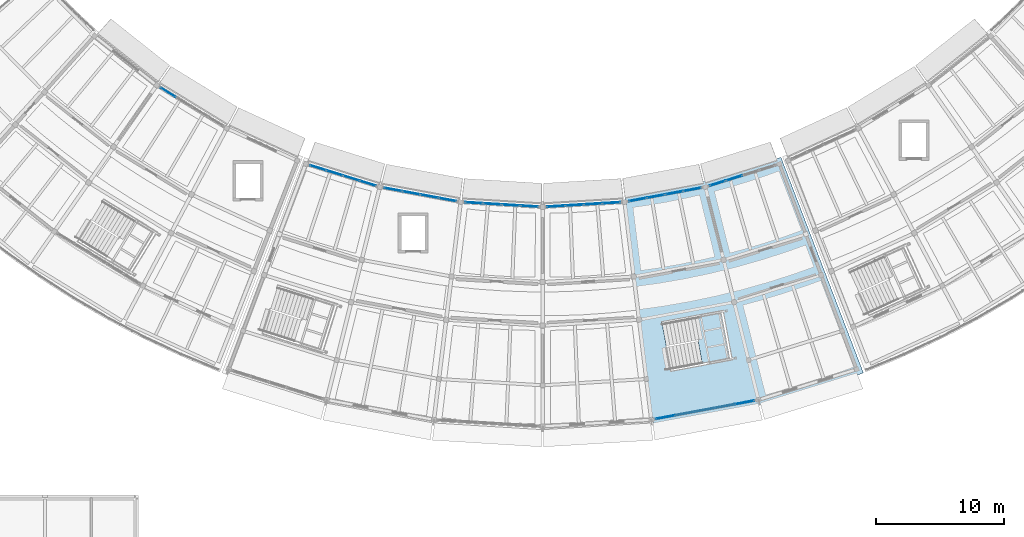
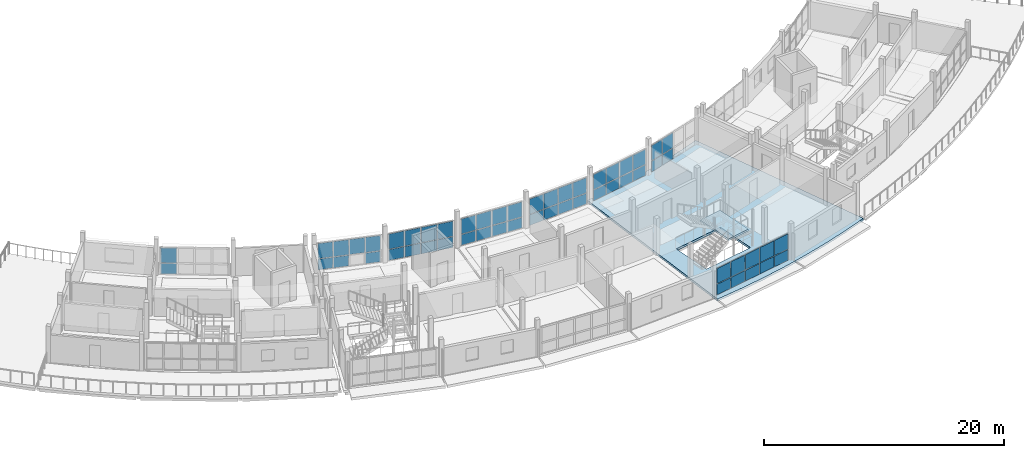
# One storey, part 21 of 36: 55 plates, 2 slabs, 9 elements without a shape of their own.
"""IFC4 building model written with IfcOpenShell, lengths in metres."""

from ifc_helpers import new_model, si_unit, direction, frame, origin, origin_2d, place, context, subcontext, project, spatial, polyline, rectangle, outline, extrude, material, layer, layer_set, type_object, element, aggregate, save


model = new_model("IFC4")

# Units and contexts
model_context = context("Model", 3, precision=1e-05, world=origin(), true_north=direction((0.0, 1.0)))
body_context = subcontext(model_context, "Body", "Model", "MODEL_VIEW")
ifc_project = project(units=[si_unit("LENGTHUNIT", "METRE"), si_unit("AREAUNIT", "SQUARE_METRE"), si_unit("VOLUMEUNIT", "CUBIC_METRE"), si_unit("PLANEANGLEUNIT", "RADIAN"), si_unit("MASSUNIT", "GRAM", prefix="KILO")], contexts=[model_context])

# Site, building, storey
site_placement = place(None, origin())
site = spatial("IfcSite", under=ifc_project, at=site_placement, CompositionType="ELEMENT")
building_placement = place(site_placement, origin())
building = spatial("IfcBuilding", under=site, at=building_placement, Name="Caldaven Crescent School", CompositionType="ELEMENT")
storey_placement = place(building_placement, frame((0.0, 0.0, 11.89990234375)))
storey = spatial("IfcBuildingStorey", under=building, at=storey_placement, Name="L03", CompositionType="ELEMENT", Elevation=11.89990234375)

# Curtain wall, plates
ifc_material_1 = material(Name="Anodised aluminium AA 6063-T6 and low-E double glazing", Category="aluminium")
ifc_layer_1 = layer(ifc_material_1, 0.169921875)
ifc_layer_set_1 = layer_set([ifc_layer_1], Name="Anodised aluminium AA 6063-T6 and low-E double glazing")
curtain_wall_type_1 = type_object("IfcCurtainWallType", Name="CW-SYS1", PredefinedType="NOTDEFINED", material=ifc_layer_set_1)
curtain_wall_1_placement = place(storey_placement, origin())
curtain_wall_1 = element("IfcCurtainWall", 1, at=curtain_wall_1_placement, inside=storey, type_object=curtain_wall_type_1, Name="CW-L03-153", PredefinedType="NOTDEFINED")
ifc_material_2 = material(Name="Tempered low-E double glazing IGU", Category="glass")
ifc_layer_2 = layer(ifc_material_2, 0.0439453125)
ifc_layer_set_2 = layer_set([ifc_layer_2], Name="Tempered low-E double glazing IGU")
plate_type_1 = type_object("IfcPlateType", Name="PLT-CWP10", PredefinedType="CURTAIN_PANEL", material=ifc_layer_set_2)
plate_1_placement = place(storey_placement, frame((58.80419921875, 52.4912109375, 0.0703125), z_axis=(0.0, 0.0, 1.0), x_axis=(0.852639656854, -0.522499392879, 0.0)))
plate_1 = element("IfcPlate", 2, at=plate_1_placement, type_object=plate_type_1, Name="CW1 panel 1.1", PredefinedType="CURTAIN_PANEL", context=body_context, shape_type="SweptSolid", body=[
    extrude(rectangle(XDim=1.353515625, YDim=0.0439453125, at=origin_2d()), origin(), (0.0, 0.0, 1.0), 1.071044921875),
])
plate_2_placement = place(storey_placement, frame((58.80419921875, 52.4912109375, 1.211181640625), z_axis=(0.0, 0.0, 1.0), x_axis=(0.852639656854, -0.522499392879, 0.0)))
plate_2 = element("IfcPlate", 3, at=plate_2_placement, type_object=plate_type_1, Name="CW1 panel 1.2", PredefinedType="CURTAIN_PANEL", context=body_context, shape_type="SweptSolid", body=[
    extrude(rectangle(XDim=1.353515625, YDim=0.0439453125, at=origin_2d()), origin(), (0.0, 0.0, 1.0), 1.51904296875),
])
aggregate(curtain_wall_1, [plate_1, plate_2])

ifc_layer_3 = layer(ifc_material_1, 0.2099609375)
ifc_layer_set_3 = layer_set([ifc_layer_3], Name="Anodised aluminium AA 6063-T6 and low-E double glazing")
curtain_wall_type_2 = type_object("IfcCurtainWallType", Name="CW-SYS3", PredefinedType="NOTDEFINED", material=ifc_layer_set_3)
curtain_wall_2_placement = place(storey_placement, origin())
curtain_wall_2 = element("IfcCurtainWall", 4, at=curtain_wall_2_placement, inside=storey, type_object=curtain_wall_type_2, Name="CW-L03-155", PredefinedType="NOTDEFINED")
ifc_layer_4 = layer(ifc_material_2, 0.048095703125)
ifc_layer_set_4 = layer_set([ifc_layer_4], Name="Tempered low-E double glazing IGU")
plate_type_2 = type_object("IfcPlateType", Name="PLT-CWP12", PredefinedType="CURTAIN_PANEL", material=ifc_layer_set_4)
plate_3_placement = place(storey_placement, frame((70.49169921875, 46.609375, 0.06005859375), z_axis=(0.0, 0.0, 1.0), x_axis=(0.954746818344, -0.297419758694, 0.0)))
plate_3 = element("IfcPlate", 5, at=plate_3_placement, type_object=plate_type_2, Name="CW3 panel 1.1", PredefinedType="CURTAIN_PANEL", context=body_context, shape_type="SweptSolid", body=[
    extrude(rectangle(XDim=1.270751953125, YDim=0.048095703125, at=origin_2d()), origin(), (0.0, 0.0, 1.0), 1.0859375),
])
plate_4_placement = place(storey_placement, frame((70.49169921875, 46.609375, 1.2060546875), z_axis=(0.0, 0.0, 1.0), x_axis=(0.954746818344, -0.297419758694, 0.0)))
plate_4 = element("IfcPlate", 6, at=plate_4_placement, type_object=plate_type_2, Name="CW3 panel 1.2", PredefinedType="CURTAIN_PANEL", context=body_context, shape_type="SweptSolid", body=[
    extrude(rectangle(XDim=1.270751953125, YDim=0.048095703125, at=origin_2d()), origin(), (0.0, 0.0, 1.0), 1.533935546875),
])
plate_5_placement = place(storey_placement, frame((71.776611328125, 46.208984375, 0.06005859375), z_axis=(0.0, 0.0, 1.0), x_axis=(0.954746818344, -0.297419758694, 0.0)))
plate_5 = element("IfcPlate", 7, at=plate_5_placement, type_object=plate_type_2, Name="CW3 panel 2.1", PredefinedType="CURTAIN_PANEL", context=body_context, shape_type="SweptSolid", body=[
    extrude(rectangle(XDim=1.30078125, YDim=0.048095703125, at=origin_2d()), origin(), (0.0, 0.0, 1.0), 1.0859375),
])
plate_6_placement = place(storey_placement, frame((71.776611328125, 46.208984375, 1.2060546875), z_axis=(0.0, 0.0, 1.0), x_axis=(0.954746818344, -0.297419758694, 0.0)))
plate_6 = element("IfcPlate", 8, at=plate_6_placement, type_object=plate_type_2, Name="CW3 panel 2.2", PredefinedType="CURTAIN_PANEL", context=body_context, shape_type="SweptSolid", body=[
    extrude(rectangle(XDim=1.30078125, YDim=0.048095703125, at=origin_2d()), origin(), (0.0, 0.0, 1.0), 1.533935546875),
])
plate_7_placement = place(storey_placement, frame((73.075927734375, 45.804443359375, 1.2060546875), z_axis=(0.0, 0.0, 1.0), x_axis=(0.954746818344, -0.297419758694, 0.0)))
plate_7 = element("IfcPlate", 9, at=plate_7_placement, type_object=plate_type_2, Name="CW3 panel 3.2", PredefinedType="CURTAIN_PANEL", context=body_context, shape_type="SweptSolid", body=[
    extrude(rectangle(XDim=1.30078125, YDim=0.048095703125, at=origin_2d()), origin(), (0.0, 0.0, 1.0), 1.533935546875),
])
plate_8_placement = place(storey_placement, frame((74.36083984375, 45.404052734375, 0.06005859375), z_axis=(0.0, 0.0, 1.0), x_axis=(0.954746818344, -0.297419758694, 0.0)))
plate_8 = element("IfcPlate", 10, at=plate_8_placement, type_object=plate_type_2, Name="CW3 panel 4.1", PredefinedType="CURTAIN_PANEL", context=body_context, shape_type="SweptSolid", body=[
    extrude(rectangle(XDim=1.270751953125, YDim=0.048095703125, at=origin_2d()), origin(), (0.0, 0.0, 1.0), 1.0859375),
])
plate_9_placement = place(storey_placement, frame((74.36083984375, 45.404052734375, 1.2060546875), z_axis=(0.0, 0.0, 1.0), x_axis=(0.954746818344, -0.297419758694, 0.0)))
plate_9 = element("IfcPlate", 11, at=plate_9_placement, type_object=plate_type_2, Name="CW3 panel 4.2", PredefinedType="CURTAIN_PANEL", context=body_context, shape_type="SweptSolid", body=[
    extrude(rectangle(XDim=1.270751953125, YDim=0.048095703125, at=origin_2d()), origin(), (0.0, 0.0, 1.0), 1.533935546875),
])
aggregate(curtain_wall_2, [plate_3, plate_4, plate_5, plate_6, plate_7, plate_8, plate_9])

ifc_layer_5 = layer(ifc_material_1, 0.22998046875)
ifc_layer_set_5 = layer_set([ifc_layer_5], Name="Anodised aluminium AA 6063-T6 and low-E double glazing")
curtain_wall_type_3 = type_object("IfcCurtainWallType", Name="CW-SYS4", PredefinedType="NOTDEFINED", material=ifc_layer_set_5)
curtain_wall_3_placement = place(storey_placement, origin())
curtain_wall_3 = element("IfcCurtainWall", 12, at=curtain_wall_3_placement, inside=storey, type_object=curtain_wall_type_3, Name="CW-L03-157", PredefinedType="NOTDEFINED")
ifc_layer_6 = layer(ifc_material_2, 0.052001953125)
ifc_layer_set_6 = layer_set([ifc_layer_6], Name="Tempered low-E double glazing IGU")
plate_type_3 = type_object("IfcPlateType", Name="PLT-CWP14", PredefinedType="CURTAIN_PANEL", material=ifc_layer_set_6)
plate_10_placement = place(storey_placement, frame((76.33544921875, 44.918212890625, 0.06005859375), z_axis=(0.0, 0.0, 1.0), x_axis=(0.983254744401, -0.182236405836, 0.0)))
plate_10 = element("IfcPlate", 13, at=plate_10_placement, type_object=plate_type_3, Name="CW4 panel 1.1", PredefinedType="CURTAIN_PANEL", context=body_context, shape_type="SweptSolid", body=[
    extrude(rectangle(XDim=1.353515625, YDim=0.052001953125, at=origin_2d()), origin(), (0.0, 0.0, 1.0), 1.0859375),
])
plate_11_placement = place(storey_placement, frame((76.33544921875, 44.918212890625, 1.2060546875), z_axis=(0.0, 0.0, 1.0), x_axis=(0.983254744401, -0.182236405836, 0.0)))
plate_11 = element("IfcPlate", 14, at=plate_11_placement, type_object=plate_type_3, Name="CW4 panel 1.2", PredefinedType="CURTAIN_PANEL", context=body_context, shape_type="SweptSolid", body=[
    extrude(rectangle(XDim=1.353515625, YDim=0.052001953125, at=origin_2d()), origin(), (0.0, 0.0, 1.0), 1.533935546875),
])
plate_12_placement = place(storey_placement, frame((77.746337890625, 44.65673828125, 0.06005859375), z_axis=(0.0, 0.0, 1.0), x_axis=(0.983254744401, -0.182236405836, 0.0)))
plate_12 = element("IfcPlate", 15, at=plate_12_placement, type_object=plate_type_3, Name="CW4 panel 2.1", PredefinedType="CURTAIN_PANEL", context=body_context, shape_type="SweptSolid", body=[
    extrude(rectangle(XDim=1.385986328125, YDim=0.052001953125, at=origin_2d()), origin(), (0.0, 0.0, 1.0), 1.0859375),
])
plate_13_placement = place(storey_placement, frame((77.746337890625, 44.65673828125, 1.2060546875), z_axis=(0.0, 0.0, 1.0), x_axis=(0.983254744401, -0.182236405836, 0.0)))
plate_13 = element("IfcPlate", 16, at=plate_13_placement, type_object=plate_type_3, Name="CW4 panel 2.2", PredefinedType="CURTAIN_PANEL", context=body_context, shape_type="SweptSolid", body=[
    extrude(rectangle(XDim=1.385986328125, YDim=0.052001953125, at=origin_2d()), origin(), (0.0, 0.0, 1.0), 1.533935546875),
])
plate_14_placement = place(storey_placement, frame((79.1728515625, 44.392333984375, 0.06005859375), z_axis=(0.0, 0.0, 1.0), x_axis=(0.983254744401, -0.182236405836, 0.0)))
plate_14 = element("IfcPlate", 17, at=plate_14_placement, type_object=plate_type_3, Name="CW4 panel 3.1", PredefinedType="CURTAIN_PANEL", context=body_context, shape_type="SweptSolid", body=[
    extrude(rectangle(XDim=1.385986328125, YDim=0.052001953125, at=origin_2d()), origin(), (0.0, 0.0, 1.0), 1.0859375),
])
plate_15_placement = place(storey_placement, frame((79.1728515625, 44.392333984375, 1.2060546875), z_axis=(0.0, 0.0, 1.0), x_axis=(0.983254744401, -0.182236405836, 0.0)))
plate_15 = element("IfcPlate", 18, at=plate_15_placement, type_object=plate_type_3, Name="CW4 panel 3.2", PredefinedType="CURTAIN_PANEL", context=body_context, shape_type="SweptSolid", body=[
    extrude(rectangle(XDim=1.385986328125, YDim=0.052001953125, at=origin_2d()), origin(), (0.0, 0.0, 1.0), 1.533935546875),
])
plate_16_placement = place(storey_placement, frame((80.583740234375, 44.130859375, 0.06005859375), z_axis=(0.0, 0.0, 1.0), x_axis=(0.983254744401, -0.182236405836, 0.0)))
plate_16 = element("IfcPlate", 19, at=plate_16_placement, type_object=plate_type_3, Name="CW4 panel 4.1", PredefinedType="CURTAIN_PANEL", context=body_context, shape_type="SweptSolid", body=[
    extrude(rectangle(XDim=1.353515625, YDim=0.052001953125, at=origin_2d()), origin(), (0.0, 0.0, 1.0), 1.0859375),
])
plate_17_placement = place(storey_placement, frame((80.583740234375, 44.130859375, 1.2060546875), z_axis=(0.0, 0.0, 1.0), x_axis=(0.983254744401, -0.182236405836, 0.0)))
plate_17 = element("IfcPlate", 20, at=plate_17_placement, type_object=plate_type_3, Name="CW4 panel 4.2", PredefinedType="CURTAIN_PANEL", context=body_context, shape_type="SweptSolid", body=[
    extrude(rectangle(XDim=1.353515625, YDim=0.052001953125, at=origin_2d()), origin(), (0.0, 0.0, 1.0), 1.533935546875),
])
aggregate(curtain_wall_3, [plate_10, plate_11, plate_12, plate_13, plate_14, plate_15, plate_16, plate_17])

curtain_wall_4_placement = place(storey_placement, origin())
curtain_wall_4 = element("IfcCurtainWall", 21, at=curtain_wall_4_placement, inside=storey, type_object=curtain_wall_type_1, Name="CW-L03-158", PredefinedType="NOTDEFINED")
ifc_layer_7 = layer(ifc_material_2, 0.053955078125)
ifc_layer_set_7 = layer_set([ifc_layer_7], Name="Tempered low-E double glazing IGU")
plate_type_4 = type_object("IfcPlateType", Name="PLT-CWP15", PredefinedType="CURTAIN_PANEL", material=ifc_layer_set_7)
plate_18_placement = place(storey_placement, frame((82.64892578125, 43.877197265625, 0.06494140625), z_axis=(0.0, 0.0, 1.0), x_axis=(0.998134750717, -0.061049319496, 0.0)))
plate_18 = element("IfcPlate", 22, at=plate_18_placement, type_object=plate_type_4, Name="CW1 panel 1.1", PredefinedType="CURTAIN_PANEL", context=body_context, shape_type="SweptSolid", body=[
    extrude(rectangle(XDim=1.345947265625, YDim=0.053955078125, at=origin_2d()), origin(), (0.0, 0.0, 1.0), 1.07861328125),
])
plate_19_placement = place(storey_placement, frame((82.64892578125, 43.877197265625, 1.20849609375), z_axis=(0.0, 0.0, 1.0), x_axis=(0.998134750717, -0.061049319496, 0.0)))
plate_19 = element("IfcPlate", 23, at=plate_19_placement, type_object=plate_type_4, Name="CW1 panel 1.2", PredefinedType="CURTAIN_PANEL", context=body_context, shape_type="SweptSolid", body=[
    extrude(rectangle(XDim=1.345947265625, YDim=0.053955078125, at=origin_2d()), origin(), (0.0, 0.0, 1.0), 1.526611328125),
])
plate_20_placement = place(storey_placement, frame((84.079833984375, 43.789794921875, 0.06494140625), z_axis=(0.0, 0.0, 1.0), x_axis=(0.998134750717, -0.061049319496, 0.0)))
plate_20 = element("IfcPlate", 24, at=plate_20_placement, type_object=plate_type_4, Name="CW1 panel 2.1", PredefinedType="CURTAIN_PANEL", context=body_context, shape_type="SweptSolid", body=[
    extrude(rectangle(XDim=1.381103515625, YDim=0.053955078125, at=origin_2d()), origin(), (0.0, 0.0, 1.0), 1.07861328125),
])
plate_21_placement = place(storey_placement, frame((84.079833984375, 43.789794921875, 1.20849609375), z_axis=(0.0, 0.0, 1.0), x_axis=(0.998134750717, -0.061049319496, 0.0)))
plate_21 = element("IfcPlate", 25, at=plate_21_placement, type_object=plate_type_4, Name="CW1 panel 2.2", PredefinedType="CURTAIN_PANEL", context=body_context, shape_type="SweptSolid", body=[
    extrude(rectangle(XDim=1.381103515625, YDim=0.053955078125, at=origin_2d()), origin(), (0.0, 0.0, 1.0), 1.526611328125),
])
plate_22_placement = place(storey_placement, frame((85.528076171875, 43.701171875, 0.06494140625), z_axis=(0.0, 0.0, 1.0), x_axis=(0.998134750717, -0.061049319496, 0.0)))
plate_22 = element("IfcPlate", 26, at=plate_22_placement, type_object=plate_type_4, Name="CW1 panel 3.1", PredefinedType="CURTAIN_PANEL", context=body_context, shape_type="SweptSolid", body=[
    extrude(rectangle(XDim=1.381103515625, YDim=0.053955078125, at=origin_2d()), origin(), (0.0, 0.0, 1.0), 1.07861328125),
])
plate_23_placement = place(storey_placement, frame((85.528076171875, 43.701171875, 1.20849609375), z_axis=(0.0, 0.0, 1.0), x_axis=(0.998134750717, -0.061049319496, 0.0)))
plate_23 = element("IfcPlate", 27, at=plate_23_placement, type_object=plate_type_4, Name="CW1 panel 3.2", PredefinedType="CURTAIN_PANEL", context=body_context, shape_type="SweptSolid", body=[
    extrude(rectangle(XDim=1.381103515625, YDim=0.053955078125, at=origin_2d()), origin(), (0.0, 0.0, 1.0), 1.526611328125),
])
plate_24_placement = place(storey_placement, frame((86.958984375, 43.61376953125, 0.06494140625), z_axis=(0.0, 0.0, 1.0), x_axis=(0.998134750717, -0.061049319496, 0.0)))
plate_24 = element("IfcPlate", 28, at=plate_24_placement, type_object=plate_type_4, Name="CW1 panel 4.1", PredefinedType="CURTAIN_PANEL", context=body_context, shape_type="SweptSolid", body=[
    extrude(rectangle(XDim=1.345947265625, YDim=0.053955078125, at=origin_2d()), origin(), (0.0, 0.0, 1.0), 1.07861328125),
])
plate_25_placement = place(storey_placement, frame((86.958984375, 43.61376953125, 1.20849609375), z_axis=(0.0, 0.0, 1.0), x_axis=(0.998134750717, -0.061049319496, 0.0)))
plate_25 = element("IfcPlate", 29, at=plate_25_placement, type_object=plate_type_4, Name="CW1 panel 4.2", PredefinedType="CURTAIN_PANEL", context=body_context, shape_type="SweptSolid", body=[
    extrude(rectangle(XDim=1.345947265625, YDim=0.053955078125, at=origin_2d()), origin(), (0.0, 0.0, 1.0), 1.526611328125),
])
aggregate(curtain_wall_4, [plate_18, plate_19, plate_20, plate_21, plate_22, plate_23, plate_24, plate_25])

ifc_layer_8 = layer(ifc_material_1, 0.18994140625)
ifc_layer_set_8 = layer_set([ifc_layer_8], Name="Anodised aluminium AA 6063-T6 and low-E double glazing")
curtain_wall_type_4 = type_object("IfcCurtainWallType", Name="CW-SYS2", PredefinedType="NOTDEFINED", material=ifc_layer_set_8)
curtain_wall_5_placement = place(storey_placement, origin())
curtain_wall_5 = element("IfcCurtainWall", 30, at=curtain_wall_5_placement, inside=storey, type_object=curtain_wall_type_4, Name="CW-L03-160", PredefinedType="NOTDEFINED")
ifc_layer_9 = layer(ifc_material_2, 0.05810546875)
ifc_layer_set_9 = layer_set([ifc_layer_9], Name="Tempered low-E double glazing IGU")
plate_type_5 = type_object("IfcPlateType", Name="PLT-CWP17", PredefinedType="CURTAIN_PANEL", material=ifc_layer_set_9)
plate_26_placement = place(storey_placement, frame((89.03857421875, 43.613525390625, 0.06494140625), z_axis=(0.0, 0.0, 1.0), x_axis=(0.998134750717, 0.061049319496, 0.0)))
plate_26 = element("IfcPlate", 31, at=plate_26_placement, type_object=plate_type_5, Name="CW2 panel 1.1", PredefinedType="CURTAIN_PANEL", context=body_context, shape_type="SweptSolid", body=[
    extrude(rectangle(XDim=1.361083984375, YDim=0.05810546875, at=origin_2d()), origin(), (0.0, 0.0, 1.0), 1.07861328125),
])
plate_27_placement = place(storey_placement, frame((89.03857421875, 43.613525390625, 1.20849609375), z_axis=(0.0, 0.0, 1.0), x_axis=(0.998134750717, 0.061049319496, 0.0)))
plate_27 = element("IfcPlate", 32, at=plate_27_placement, type_object=plate_type_5, Name="CW2 panel 1.2", PredefinedType="CURTAIN_PANEL", context=body_context, shape_type="SweptSolid", body=[
    extrude(rectangle(XDim=1.361083984375, YDim=0.05810546875, at=origin_2d()), origin(), (0.0, 0.0, 1.0), 1.526611328125),
])
plate_28_placement = place(storey_placement, frame((90.471923828125, 43.701171875, 0.06494140625), z_axis=(0.0, 0.0, 1.0), x_axis=(0.998134750717, 0.061049319496, 0.0)))
plate_28 = element("IfcPlate", 33, at=plate_28_placement, type_object=plate_type_5, Name="CW2 panel 2.1", PredefinedType="CURTAIN_PANEL", context=body_context, shape_type="SweptSolid", body=[
    extrude(rectangle(XDim=1.39111328125, YDim=0.05810546875, at=origin_2d()), origin(), (0.0, 0.0, 1.0), 1.07861328125),
])
plate_29_placement = place(storey_placement, frame((90.471923828125, 43.701171875, 1.20849609375), z_axis=(0.0, 0.0, 1.0), x_axis=(0.998134750717, 0.061049319496, 0.0)))
plate_29 = element("IfcPlate", 34, at=plate_29_placement, type_object=plate_type_5, Name="CW2 panel 2.2", PredefinedType="CURTAIN_PANEL", context=body_context, shape_type="SweptSolid", body=[
    extrude(rectangle(XDim=1.39111328125, YDim=0.05810546875, at=origin_2d()), origin(), (0.0, 0.0, 1.0), 1.526611328125),
])
plate_30_placement = place(storey_placement, frame((91.920166015625, 43.789794921875, 0.06494140625), z_axis=(0.0, 0.0, 1.0), x_axis=(0.998134750717, 0.061049319496, 0.0)))
plate_30 = element("IfcPlate", 35, at=plate_30_placement, type_object=plate_type_5, Name="CW2 panel 3.1", PredefinedType="CURTAIN_PANEL", context=body_context, shape_type="SweptSolid", body=[
    extrude(rectangle(XDim=1.39111328125, YDim=0.05810546875, at=origin_2d()), origin(), (0.0, 0.0, 1.0), 1.07861328125),
])
plate_31_placement = place(storey_placement, frame((91.920166015625, 43.789794921875, 1.20849609375), z_axis=(0.0, 0.0, 1.0), x_axis=(0.998134750717, 0.061049319496, 0.0)))
plate_31 = element("IfcPlate", 36, at=plate_31_placement, type_object=plate_type_5, Name="CW2 panel 3.2", PredefinedType="CURTAIN_PANEL", context=body_context, shape_type="SweptSolid", body=[
    extrude(rectangle(XDim=1.39111328125, YDim=0.05810546875, at=origin_2d()), origin(), (0.0, 0.0, 1.0), 1.526611328125),
])
plate_32_placement = place(storey_placement, frame((93.353515625, 43.87744140625, 0.06494140625), z_axis=(0.0, 0.0, 1.0), x_axis=(0.998134750717, 0.061049319496, 0.0)))
plate_32 = element("IfcPlate", 37, at=plate_32_placement, type_object=plate_type_5, Name="CW2 panel 4.1", PredefinedType="CURTAIN_PANEL", context=body_context, shape_type="SweptSolid", body=[
    extrude(rectangle(XDim=1.361083984375, YDim=0.05810546875, at=origin_2d()), origin(), (0.0, 0.0, 1.0), 1.07861328125),
])
plate_33_placement = place(storey_placement, frame((93.353515625, 43.87744140625, 1.20849609375), z_axis=(0.0, 0.0, 1.0), x_axis=(0.998134750717, 0.061049319496, 0.0)))
plate_33 = element("IfcPlate", 38, at=plate_33_placement, type_object=plate_type_5, Name="CW2 panel 4.2", PredefinedType="CURTAIN_PANEL", context=body_context, shape_type="SweptSolid", body=[
    extrude(rectangle(XDim=1.361083984375, YDim=0.05810546875, at=origin_2d()), origin(), (0.0, 0.0, 1.0), 1.526611328125),
])
aggregate(curtain_wall_5, [plate_26, plate_27, plate_28, plate_29, plate_30, plate_31, plate_32, plate_33])

curtain_wall_6_placement = place(storey_placement, origin())
curtain_wall_6 = element("IfcCurtainWall", 39, at=curtain_wall_6_placement, inside=storey, type_object=curtain_wall_type_2, Name="CW-L03-161", PredefinedType="NOTDEFINED")
ifc_layer_10 = layer(ifc_material_2, 0.06005859375)
ifc_layer_set_10 = layer_set([ifc_layer_10], Name="Tempered low-E double glazing IGU")
plate_type_6 = type_object("IfcPlateType", Name="PLT-CWP18", PredefinedType="CURTAIN_PANEL", material=ifc_layer_set_10)
plate_34_placement = place(storey_placement, frame((95.416259765625, 44.130859375, 0.0703125), z_axis=(0.0, 0.0, 1.0), x_axis=(0.983254744401, 0.182236405836, 0.0)))
plate_34 = element("IfcPlate", 40, at=plate_34_placement, type_object=plate_type_6, Name="CW3 panel 1.1", PredefinedType="CURTAIN_PANEL", context=body_context, shape_type="SweptSolid", body=[
    extrude(rectangle(XDim=1.353515625, YDim=0.06005859375, at=origin_2d()), origin(), (0.0, 0.0, 1.0), 1.071044921875),
])
plate_35_placement = place(storey_placement, frame((95.416259765625, 44.130859375, 1.211181640625), z_axis=(0.0, 0.0, 1.0), x_axis=(0.983254744401, 0.182236405836, 0.0)))
plate_35 = element("IfcPlate", 41, at=plate_35_placement, type_object=plate_type_6, Name="CW3 panel 1.2", PredefinedType="CURTAIN_PANEL", context=body_context, shape_type="SweptSolid", body=[
    extrude(rectangle(XDim=1.353515625, YDim=0.06005859375, at=origin_2d()), origin(), (0.0, 0.0, 1.0), 1.51904296875),
])
plate_36_placement = place(storey_placement, frame((96.8271484375, 44.392333984375, 0.0703125), z_axis=(0.0, 0.0, 1.0), x_axis=(0.983254744401, 0.182236405836, 0.0)))
plate_36 = element("IfcPlate", 42, at=plate_36_placement, type_object=plate_type_6, Name="CW3 panel 2.1", PredefinedType="CURTAIN_PANEL", context=body_context, shape_type="SweptSolid", body=[
    extrude(rectangle(XDim=1.385986328125, YDim=0.06005859375, at=origin_2d()), origin(), (0.0, 0.0, 1.0), 1.071044921875),
])
plate_37_placement = place(storey_placement, frame((96.8271484375, 44.392333984375, 1.211181640625), z_axis=(0.0, 0.0, 1.0), x_axis=(0.983254744401, 0.182236405836, 0.0)))
plate_37 = element("IfcPlate", 43, at=plate_37_placement, type_object=plate_type_6, Name="CW3 panel 2.2", PredefinedType="CURTAIN_PANEL", context=body_context, shape_type="SweptSolid", body=[
    extrude(rectangle(XDim=1.385986328125, YDim=0.06005859375, at=origin_2d()), origin(), (0.0, 0.0, 1.0), 1.51904296875),
])
plate_38_placement = place(storey_placement, frame((98.253662109375, 44.65673828125, 0.0703125), z_axis=(0.0, 0.0, 1.0), x_axis=(0.983254744401, 0.182236405836, 0.0)))
plate_38 = element("IfcPlate", 44, at=plate_38_placement, type_object=plate_type_6, Name="CW3 panel 3.1", PredefinedType="CURTAIN_PANEL", context=body_context, shape_type="SweptSolid", body=[
    extrude(rectangle(XDim=1.385986328125, YDim=0.06005859375, at=origin_2d()), origin(), (0.0, 0.0, 1.0), 1.071044921875),
])
plate_39_placement = place(storey_placement, frame((98.253662109375, 44.65673828125, 1.211181640625), z_axis=(0.0, 0.0, 1.0), x_axis=(0.983254744401, 0.182236405836, 0.0)))
plate_39 = element("IfcPlate", 45, at=plate_39_placement, type_object=plate_type_6, Name="CW3 panel 3.2", PredefinedType="CURTAIN_PANEL", context=body_context, shape_type="SweptSolid", body=[
    extrude(rectangle(XDim=1.385986328125, YDim=0.06005859375, at=origin_2d()), origin(), (0.0, 0.0, 1.0), 1.51904296875),
])
plate_40_placement = place(storey_placement, frame((99.66455078125, 44.918212890625, 0.0703125), z_axis=(0.0, 0.0, 1.0), x_axis=(0.983254744401, 0.182236405836, 0.0)))
plate_40 = element("IfcPlate", 46, at=plate_40_placement, type_object=plate_type_6, Name="CW3 panel 4.1", PredefinedType="CURTAIN_PANEL", context=body_context, shape_type="SweptSolid", body=[
    extrude(rectangle(XDim=1.353515625, YDim=0.06005859375, at=origin_2d()), origin(), (0.0, 0.0, 1.0), 1.071044921875),
])
plate_41_placement = place(storey_placement, frame((99.66455078125, 44.918212890625, 1.211181640625), z_axis=(0.0, 0.0, 1.0), x_axis=(0.983254744401, 0.182236405836, 0.0)))
plate_41 = element("IfcPlate", 47, at=plate_41_placement, type_object=plate_type_6, Name="CW3 panel 4.2", PredefinedType="CURTAIN_PANEL", context=body_context, shape_type="SweptSolid", body=[
    extrude(rectangle(XDim=1.353515625, YDim=0.06005859375, at=origin_2d()), origin(), (0.0, 0.0, 1.0), 1.51904296875),
])
aggregate(curtain_wall_6, [plate_34, plate_35, plate_36, plate_37, plate_38, plate_39, plate_40, plate_41])

curtain_wall_7_placement = place(storey_placement, origin())
curtain_wall_7 = element("IfcCurtainWall", 48, at=curtain_wall_7_placement, inside=storey, type_object=curtain_wall_type_1, Name="CW-L03-162", PredefinedType="NOTDEFINED")
ifc_material_3 = material(Name="Insulated bronze aluminium spandrel panel", Category="aluminium")
ifc_layer_11 = layer(ifc_material_3, 0.06201171875)
ifc_layer_set_11 = layer_set([ifc_layer_11], Name="Insulated bronze aluminium spandrel panel")
plate_type_7 = type_object("IfcPlateType", Name="PLT-CWP19", PredefinedType="CURTAIN_PANEL", material=ifc_layer_set_11)
plate_42_placement = place(storey_placement, frame((97.561767578125, 27.169677734375, 0.06005859375), z_axis=(0.0, 0.0, 1.0), x_axis=(0.983255029874, 0.182234865564, 0.0)))
plate_42 = element("IfcPlate", 49, at=plate_42_placement, type_object=plate_type_7, Name="CW1 panel 1.1", PredefinedType="CURTAIN_PANEL", context=body_context, shape_type="SweptSolid", body=[
    extrude(rectangle(XDim=1.48828125, YDim=0.06201171875, at=origin_2d()), origin(), (0.0, 0.0, 1.0), 1.0859375),
])
plate_43_placement = place(storey_placement, frame((97.561767578125, 27.169677734375, 1.2060546875), z_axis=(0.0, 0.0, 1.0), x_axis=(0.983255029874, 0.182234865564, 0.0)))
plate_43 = element("IfcPlate", 50, at=plate_43_placement, type_object=plate_type_7, Name="CW1 panel 1.2", PredefinedType="CURTAIN_PANEL", context=body_context, shape_type="SweptSolid", body=[
    extrude(rectangle(XDim=1.48828125, YDim=0.06201171875, at=origin_2d()), origin(), (0.0, 0.0, 1.0), 1.533935546875),
])
plate_44_placement = place(storey_placement, frame((99.098876953125, 27.45458984375, 0.06005859375), z_axis=(0.0, 0.0, 1.0), x_axis=(0.983255029874, 0.182234865564, 0.0)))
plate_44 = element("IfcPlate", 51, at=plate_44_placement, type_object=plate_type_7, Name="CW1 panel 2.1", PredefinedType="CURTAIN_PANEL", context=body_context, shape_type="SweptSolid", body=[
    extrude(rectangle(XDim=1.518310546875, YDim=0.06201171875, at=origin_2d()), origin(), (0.0, 0.0, 1.0), 1.0859375),
])
plate_45_placement = place(storey_placement, frame((99.098876953125, 27.45458984375, 1.2060546875), z_axis=(0.0, 0.0, 1.0), x_axis=(0.983255029874, 0.182234865564, 0.0)))
plate_45 = element("IfcPlate", 52, at=plate_45_placement, type_object=plate_type_7, Name="CW1 panel 2.2", PredefinedType="CURTAIN_PANEL", context=body_context, shape_type="SweptSolid", body=[
    extrude(rectangle(XDim=1.518310546875, YDim=0.06201171875, at=origin_2d()), origin(), (0.0, 0.0, 1.0), 1.533935546875),
])
plate_46_placement = place(storey_placement, frame((100.65087890625, 27.7421875, 0.06005859375), z_axis=(0.0, 0.0, 1.0), x_axis=(0.983255029874, 0.182234865564, 0.0)))
plate_46 = element("IfcPlate", 53, at=plate_46_placement, type_object=plate_type_7, Name="CW1 panel 3.1", PredefinedType="CURTAIN_PANEL", context=body_context, shape_type="SweptSolid", body=[
    extrude(rectangle(XDim=1.518310546875, YDim=0.06201171875, at=origin_2d()), origin(), (0.0, 0.0, 1.0), 1.0859375),
])
plate_47_placement = place(storey_placement, frame((100.65087890625, 27.7421875, 1.2060546875), z_axis=(0.0, 0.0, 1.0), x_axis=(0.983255029874, 0.182234865564, 0.0)))
plate_47 = element("IfcPlate", 54, at=plate_47_placement, type_object=plate_type_7, Name="CW1 panel 3.2", PredefinedType="CURTAIN_PANEL", context=body_context, shape_type="SweptSolid", body=[
    extrude(rectangle(XDim=1.518310546875, YDim=0.06201171875, at=origin_2d()), origin(), (0.0, 0.0, 1.0), 1.533935546875),
])
plate_48_placement = place(storey_placement, frame((102.202880859375, 28.02978515625, 0.06005859375), z_axis=(0.0, 0.0, 1.0), x_axis=(0.983255029874, 0.182234865564, 0.0)))
plate_48 = element("IfcPlate", 55, at=plate_48_placement, type_object=plate_type_7, Name="CW1 panel 4.1", PredefinedType="CURTAIN_PANEL", context=body_context, shape_type="SweptSolid", body=[
    extrude(rectangle(XDim=1.518310546875, YDim=0.06201171875, at=origin_2d()), origin(), (0.0, 0.0, 1.0), 1.0859375),
])
plate_49_placement = place(storey_placement, frame((102.202880859375, 28.02978515625, 1.2060546875), z_axis=(0.0, 0.0, 1.0), x_axis=(0.983255029874, 0.182234865564, 0.0)))
plate_49 = element("IfcPlate", 56, at=plate_49_placement, type_object=plate_type_7, Name="CW1 panel 4.2", PredefinedType="CURTAIN_PANEL", context=body_context, shape_type="SweptSolid", body=[
    extrude(rectangle(XDim=1.518310546875, YDim=0.06201171875, at=origin_2d()), origin(), (0.0, 0.0, 1.0), 1.533935546875),
])
plate_50_placement = place(storey_placement, frame((103.739990234375, 28.314697265625, 0.06005859375), z_axis=(0.0, 0.0, 1.0), x_axis=(0.983255029874, 0.182234865564, 0.0)))
plate_50 = element("IfcPlate", 57, at=plate_50_placement, type_object=plate_type_7, Name="CW1 panel 5.1", PredefinedType="CURTAIN_PANEL", context=body_context, shape_type="SweptSolid", body=[
    extrude(rectangle(XDim=1.48828125, YDim=0.06201171875, at=origin_2d()), origin(), (0.0, 0.0, 1.0), 1.0859375),
])
plate_51_placement = place(storey_placement, frame((103.739990234375, 28.314697265625, 1.2060546875), z_axis=(0.0, 0.0, 1.0), x_axis=(0.983255029874, 0.182234865564, 0.0)))
plate_51 = element("IfcPlate", 58, at=plate_51_placement, type_object=plate_type_7, Name="CW1 panel 5.2", PredefinedType="CURTAIN_PANEL", context=body_context, shape_type="SweptSolid", body=[
    extrude(rectangle(XDim=1.48828125, YDim=0.06201171875, at=origin_2d()), origin(), (0.0, 0.0, 1.0), 1.533935546875),
])
aggregate(curtain_wall_7, [plate_42, plate_43, plate_44, plate_45, plate_46, plate_47, plate_48, plate_49, plate_50, plate_51])

curtain_wall_8_placement = place(storey_placement, origin())
curtain_wall_8 = element("IfcCurtainWall", 59, at=curtain_wall_8_placement, inside=storey, type_object=curtain_wall_type_3, Name="CW-L03-163", PredefinedType="NOTDEFINED")
ifc_layer_12 = layer(ifc_material_3, 0.06396484375)
ifc_layer_set_12 = layer_set([ifc_layer_12], Name="Insulated bronze aluminium spandrel panel")
plate_type_8 = type_object("IfcPlateType", Name="PLT-CWP20", PredefinedType="CURTAIN_PANEL", material=ifc_layer_set_12)
plate_52_placement = place(storey_placement, frame((101.6416015625, 45.40478515625, 0.0703125), z_axis=(0.0, 0.0, 1.0), x_axis=(0.954746818344, 0.297419758694, 0.0)))
plate_52 = element("IfcPlate", 60, at=plate_52_placement, type_object=plate_type_8, Name="CW4 panel 1.1", PredefinedType="CURTAIN_PANEL", context=body_context, shape_type="SweptSolid", body=[
    extrude(rectangle(XDim=1.255859375, YDim=0.06396484375, at=origin_2d()), origin(), (0.0, 0.0, 1.0), 1.071044921875),
])
plate_53_placement = place(storey_placement, frame((101.6416015625, 45.40478515625, 1.211181640625), z_axis=(0.0, 0.0, 1.0), x_axis=(0.954746818344, 0.297419758694, 0.0)))
plate_53 = element("IfcPlate", 61, at=plate_53_placement, type_object=plate_type_8, Name="CW4 panel 1.2", PredefinedType="CURTAIN_PANEL", context=body_context, shape_type="SweptSolid", body=[
    extrude(rectangle(XDim=1.255859375, YDim=0.06396484375, at=origin_2d()), origin(), (0.0, 0.0, 1.0), 1.51904296875),
])
plate_54_placement = place(storey_placement, frame((102.924072265625, 45.804443359375, 0.0703125), z_axis=(0.0, 0.0, 1.0), x_axis=(0.954746818344, 0.297419758694, 0.0)))
plate_54 = element("IfcPlate", 62, at=plate_54_placement, type_object=plate_type_8, Name="CW4 panel 2.1", PredefinedType="CURTAIN_PANEL", context=body_context, shape_type="SweptSolid", body=[
    extrude(rectangle(XDim=1.290771484375, YDim=0.06396484375, at=origin_2d()), origin(), (0.0, 0.0, 1.0), 1.071044921875),
])
plate_55_placement = place(storey_placement, frame((102.924072265625, 45.804443359375, 1.211181640625), z_axis=(0.0, 0.0, 1.0), x_axis=(0.954746818344, 0.297419758694, 0.0)))
plate_55 = element("IfcPlate", 63, at=plate_55_placement, type_object=plate_type_8, Name="CW4 panel 2.2", PredefinedType="CURTAIN_PANEL", context=body_context, shape_type="SweptSolid", body=[
    extrude(rectangle(XDim=1.290771484375, YDim=0.06396484375, at=origin_2d()), origin(), (0.0, 0.0, 1.0), 1.51904296875),
])
aggregate(curtain_wall_8, [plate_52, plate_53, plate_54, plate_55])

# Slab
ifc_material_4 = material(Name="Cross-laminated timber CLT C24", Category="wood")
ifc_layer_13 = layer(ifc_material_4, 0.219970703125)
ifc_layer_set_13 = layer_set([ifc_layer_13], Name="Cross-laminated timber CLT C24")
slab_type_1 = type_object("IfcSlabType", Name="SLB-FS2", PredefinedType="FLOOR", material=ifc_layer_set_13)
slab_1_placement = place(storey_placement, frame((0.0, 0.0, -0.219970703125)))
element("IfcSlab", 64, at=slab_1_placement, inside=storey, type_object=slab_type_1, Name="SLB-V5-L03-B09", PredefinedType="FLOOR", context=body_context, shape_type="SweptSolid", body=[
    extrude(outline(polyline([(96.6162109375, 26.5322265625), (99.01123046875, 26.87158203125), (101.392822265625, 27.293212890625), (103.758544921875, 27.796875), (106.10546875, 28.382080078125), (108.4306640625, 29.0478515625), (110.731689453125, 29.793701171875), (113.00537109375, 30.61865234375), (106.575439453125, 47.430908203125), (104.886474609375, 46.818115234375), (103.177001953125, 46.26416015625), (101.44970703125, 45.76953125), (99.706298828125, 45.334716796875), (97.948974609375, 44.960693359375), (96.1796875, 44.6474609375), (94.400634765625, 44.3955078125), (96.6162109375, 26.5322265625)]), holes=[polyline([(98.000732421875, 30.7802734375), (97.29736328125, 34.57568359375), (102.03857421875, 35.45458984375), (102.741943359375, 31.6591796875), (98.000732421875, 30.7802734375)])]), origin(), (0.0, 0.0, 1.0), 0.219970703125),
])

# Stair, slab
ifc_material_5 = material(Name="Precast concrete C30/37", Category="concrete")
stair_type = type_object("IfcStairType", Name="STR-S6", PredefinedType="TWO_STRAIGHT_RUN_STAIR", material=ifc_material_5)
stair_placement = place(storey_placement, origin())
stair = element("IfcStair", 65, at=stair_placement, inside=storey, type_object=stair_type, Name="STAIR-ST3-L03", PredefinedType="TWO_STRAIGHT_RUN_STAIR")
ifc_material_6 = material(Name="Concrete C30/37", Category="concrete")
ifc_layer_14 = layer(ifc_material_6, 0.195068359375)
ifc_layer_set_14 = layer_set([ifc_layer_14], Name="Concrete C30/37")
slab_type_2 = type_object("IfcSlabType", Name="SLB-LND2", PredefinedType="LANDING", material=ifc_layer_set_14)
slab_2_placement = place(storey_placement, frame((0.0, 0.0, 1.675048828125)))
slab_2 = element("IfcSlab", 66, at=slab_2_placement, type_object=slab_type_2, Name="ST3-L03 landing 1", PredefinedType="LANDING", context=body_context, shape_type="SweptSolid", body=[
    extrude(outline(polyline([(100.44287109375, 31.344970703125), (102.60400390625, 31.745361328125), (101.940673828125, 35.324462890625), (99.779541015625, 34.923828125), (100.44287109375, 31.344970703125)])), origin(), (0.0, 0.0, 1.0), 0.195068359375),
])
aggregate(stair, [slab_2])

save(model, "model.ifc")
